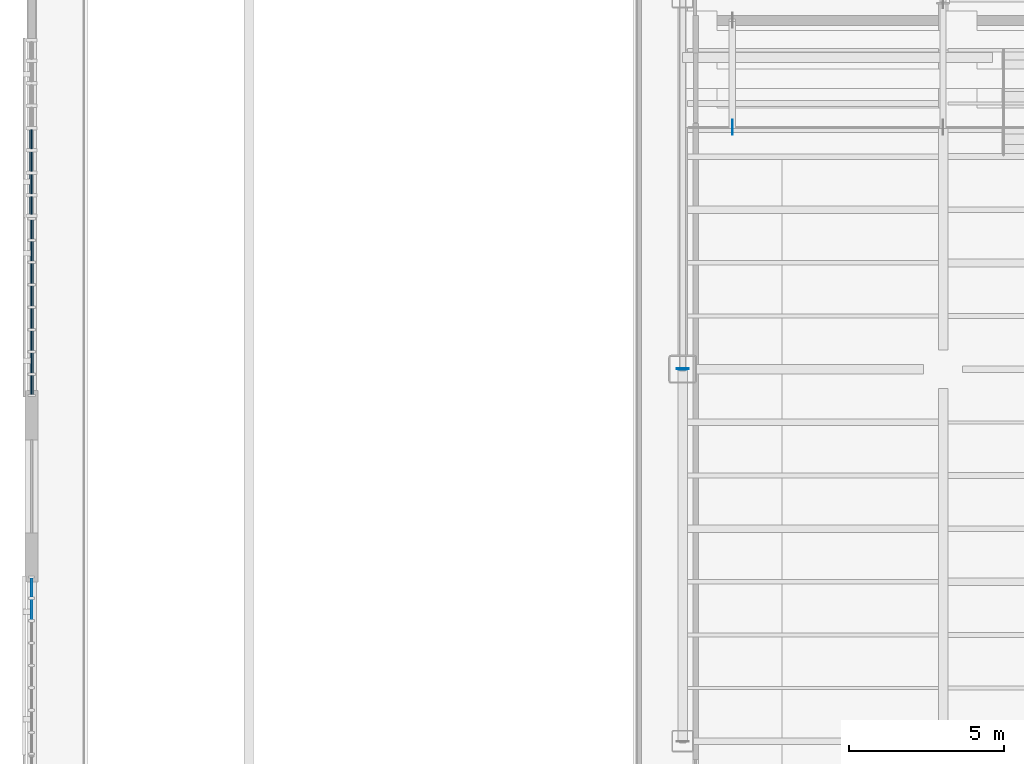
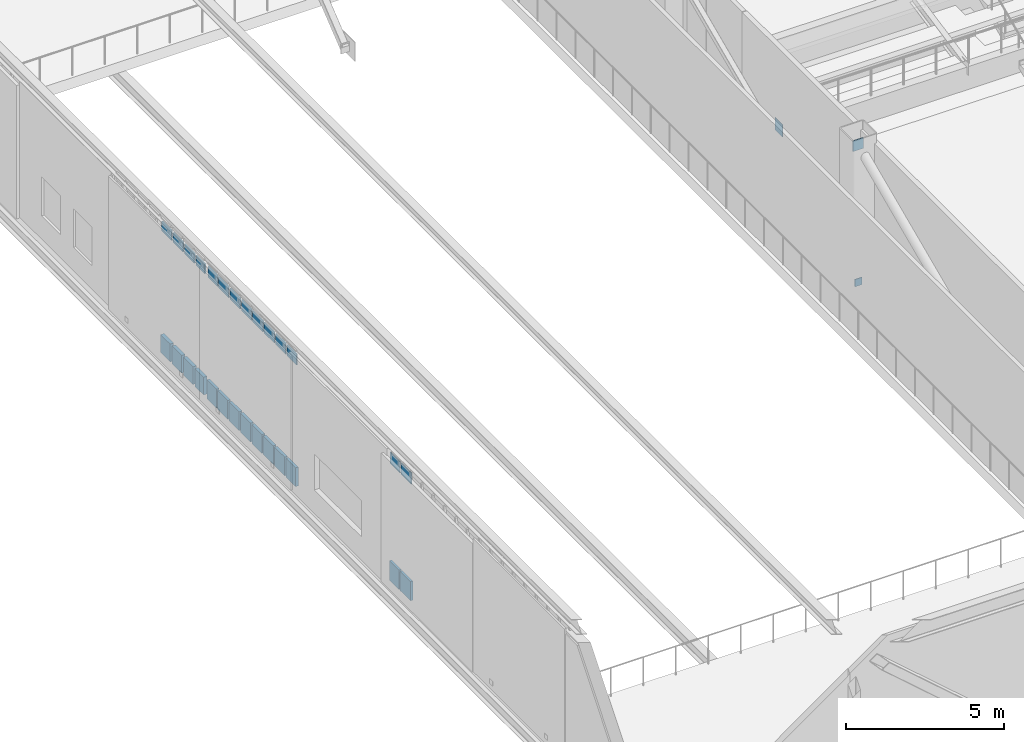
# One storey, part 86 of 135: 31 plates, 3 elements without a shape of their own.
"""IFC4 building model written with IfcOpenShell, lengths in metres."""

from ifc_helpers import new_model, si_unit, direction, frame, origin, origin_2d, place, context, subcontext, project, spatial, rectangle, extrude, material, layer, layer_set, type_object, element, aggregate, save


model = new_model("IFC4")

# Units and contexts
model_context = context("Model", 3, precision=1e-05, world=origin(), true_north=direction((0.0, 1.0)))
body_context = subcontext(model_context, "Body", "Model", "MODEL_VIEW")
ifc_project = project(units=[si_unit("LENGTHUNIT", "METRE"), si_unit("AREAUNIT", "SQUARE_METRE"), si_unit("VOLUMEUNIT", "CUBIC_METRE"), si_unit("PLANEANGLEUNIT", "RADIAN"), si_unit("MASSUNIT", "GRAM", prefix="KILO")], contexts=[model_context])

# Site, building, storey
site_placement = place(None, origin())
site = spatial("IfcSite", under=ifc_project, at=site_placement, CompositionType="ELEMENT")
building_placement = place(site_placement, origin())
building = spatial("IfcBuilding", under=site, at=building_placement, Name="Larkvane Passage Sports Hall", CompositionType="ELEMENT")
storey_placement = place(building_placement, frame((0.0, 0.0, 10.800048828125)))
storey = spatial("IfcBuildingStorey", under=building, at=storey_placement, Name="L02", CompositionType="ELEMENT", Elevation=10.800048828125)

# Curtain wall, plates
ifc_material_1 = material(Name="Thermally broken aluminium and low-E glazing", Category="aluminium")
curtain_wall_type_1 = type_object("IfcCurtainWallType", Name="CW-STICK-FOYER", PredefinedType="USERDEFINED", material=ifc_material_1)
curtain_wall_1_placement = place(storey_placement, origin())
curtain_wall_1 = element("IfcCurtainWall", 1, at=curtain_wall_1_placement, inside=storey, type_object=curtain_wall_type_1, Name="Curtain wall CW5-L02-094", ObjectType="STICK CURTAIN WALL", PredefinedType="USERDEFINED")
ifc_material_2 = material(Name="Fire-stopped shadow-box spandrel panel")
ifc_layer_1 = layer(ifc_material_2, 0.10498046875)
ifc_layer_set_1 = layer_set([ifc_layer_1], Name="Fire-stopped shadow-box spandrel panel")
plate_type_1 = type_object("IfcPlateType", Name="CWP-SPD-105", PredefinedType="CURTAIN_PANEL", material=ifc_layer_set_1)
plate_1_placement = place(storey_placement, frame((13.800048828125, 63.09228515625, 0.080078125), z_axis=(0.0, 0.0, 1.0), x_axis=(0.0, 1.0, 0.0)))
plate_1 = element("IfcPlate", 2, at=plate_1_placement, type_object=plate_type_1, Name="CW-03 panel 1.1", PredefinedType="CURTAIN_PANEL", context=body_context, shape_type="SweptSolid", body=[
    extrude(rectangle(XDim=0.602294921875, YDim=0.10498046875, at=origin_2d()), origin(), (0.0, 0.0, 1.0), 0.72998046875),
])
plate_2_placement = place(storey_placement, frame((13.800048828125, 63.79443359375, 0.080078125), z_axis=(0.0, 0.0, 1.0), x_axis=(0.0, 1.0, 0.0)))
plate_2 = element("IfcPlate", 3, at=plate_2_placement, type_object=plate_type_1, Name="CW-03 panel 2.1", PredefinedType="CURTAIN_PANEL", context=body_context, shape_type="SweptSolid", body=[
    extrude(rectangle(XDim=0.642333984375, YDim=0.10498046875, at=origin_2d()), origin(), (0.0, 0.0, 1.0), 0.72998046875),
])
plate_3_placement = place(storey_placement, frame((13.800048828125, 64.5166015625, 0.080078125), z_axis=(0.0, 0.0, 1.0), x_axis=(0.0, 1.0, 0.0)))
plate_3 = element("IfcPlate", 4, at=plate_3_placement, type_object=plate_type_1, Name="CW-03 panel 3.1", PredefinedType="CURTAIN_PANEL", context=body_context, shape_type="SweptSolid", body=[
    extrude(rectangle(XDim=0.642333984375, YDim=0.10498046875, at=origin_2d()), origin(), (0.0, 0.0, 1.0), 0.72998046875),
])
plate_4_placement = place(storey_placement, frame((13.800048828125, 65.23876953125, 0.080078125), z_axis=(0.0, 0.0, 1.0), x_axis=(0.0, 1.0, 0.0)))
plate_4 = element("IfcPlate", 5, at=plate_4_placement, type_object=plate_type_1, Name="CW-03 panel 4.1", PredefinedType="CURTAIN_PANEL", context=body_context, shape_type="SweptSolid", body=[
    extrude(rectangle(XDim=0.642333984375, YDim=0.10498046875, at=origin_2d()), origin(), (0.0, 0.0, 1.0), 0.72998046875),
])
plate_5_placement = place(storey_placement, frame((13.800048828125, 65.961181640625, 0.080078125), z_axis=(0.0, 0.0, 1.0), x_axis=(0.0, 1.0, 0.0)))
plate_5 = element("IfcPlate", 6, at=plate_5_placement, type_object=plate_type_1, Name="CW-03 panel 5.1", PredefinedType="CURTAIN_PANEL", context=body_context, shape_type="SweptSolid", body=[
    extrude(rectangle(XDim=0.642333984375, YDim=0.10498046875, at=origin_2d()), origin(), (0.0, 0.0, 1.0), 0.72998046875),
])
plate_6_placement = place(storey_placement, frame((13.800048828125, 66.683349609375, 0.080078125), z_axis=(0.0, 0.0, 1.0), x_axis=(0.0, 1.0, 0.0)))
plate_6 = element("IfcPlate", 7, at=plate_6_placement, type_object=plate_type_1, Name="CW-03 panel 6.1", PredefinedType="CURTAIN_PANEL", context=body_context, shape_type="SweptSolid", body=[
    extrude(rectangle(XDim=0.642333984375, YDim=0.10498046875, at=origin_2d()), origin(), (0.0, 0.0, 1.0), 0.72998046875),
])
plate_7_placement = place(storey_placement, frame((13.800048828125, 67.405517578125, 0.080078125), z_axis=(0.0, 0.0, 1.0), x_axis=(0.0, 1.0, 0.0)))
plate_7 = element("IfcPlate", 8, at=plate_7_placement, type_object=plate_type_1, Name="CW-03 panel 7.1", PredefinedType="CURTAIN_PANEL", context=body_context, shape_type="SweptSolid", body=[
    extrude(rectangle(XDim=0.642333984375, YDim=0.10498046875, at=origin_2d()), origin(), (0.0, 0.0, 1.0), 0.72998046875),
])
plate_8_placement = place(storey_placement, frame((13.800048828125, 68.107666015625, 0.080078125), z_axis=(0.0, 0.0, 1.0), x_axis=(0.0, 1.0, 0.0)))
plate_8 = element("IfcPlate", 9, at=plate_8_placement, type_object=plate_type_1, Name="CW-03 panel 8.1", PredefinedType="CURTAIN_PANEL", context=body_context, shape_type="SweptSolid", body=[
    extrude(rectangle(XDim=0.602294921875, YDim=0.10498046875, at=origin_2d()), origin(), (0.0, 0.0, 1.0), 0.72998046875),
])

curtain_wall_type_2 = type_object("IfcCurtainWallType", Name="CW-CLINIC", PredefinedType="USERDEFINED", material=ifc_material_1)
curtain_wall_2_placement = place(storey_placement, origin())
curtain_wall_2 = element("IfcCurtainWall", 10, at=curtain_wall_2_placement, inside=storey, type_object=curtain_wall_type_2, Name="Curtain wall CW5-L02-095", ObjectType="UNITISED CURTAIN WALL", PredefinedType="USERDEFINED")
ifc_material_3 = material(Name="Deep insulated facade spandrel panel")
ifc_layer_2 = layer(ifc_material_3, 0.125)
ifc_layer_set_2 = layer_set([ifc_layer_2], Name="Deep insulated facade spandrel panel")
plate_type_2 = type_object("IfcPlateType", Name="CWP-SPD-125", PredefinedType="CURTAIN_PANEL", material=ifc_layer_set_2)
plate_9_placement = place(storey_placement, frame((13.800048828125, 68.87744140625, 0.10986328125), z_axis=(0.0, 0.0, 1.0), x_axis=(0.0, 1.0, 0.0)))
plate_9 = element("IfcPlate", 11, at=plate_9_placement, type_object=plate_type_2, Name="CW-05 panel 1.1", PredefinedType="CURTAIN_PANEL", context=body_context, shape_type="SweptSolid", body=[
    extrude(rectangle(XDim=0.55712890625, YDim=0.125, at=origin_2d()), origin(), (0.0, 0.0, 1.0), 0.68505859375),
])
plate_10_placement = place(storey_placement, frame((13.800048828125, 69.572265625, 0.10986328125), z_axis=(0.0, 0.0, 1.0), x_axis=(0.0, 1.0, 0.0)))
plate_10 = element("IfcPlate", 12, at=plate_10_placement, type_object=plate_type_2, Name="CW-05 panel 2.1", PredefinedType="CURTAIN_PANEL", context=body_context, shape_type="SweptSolid", body=[
    extrude(rectangle(XDim=0.6123046875, YDim=0.125, at=origin_2d()), origin(), (0.0, 0.0, 1.0), 0.68505859375),
])
plate_11_placement = place(storey_placement, frame((13.800048828125, 70.29443359375, 0.10986328125), z_axis=(0.0, 0.0, 1.0), x_axis=(0.0, 1.0, 0.0)))
plate_11 = element("IfcPlate", 13, at=plate_11_placement, type_object=plate_type_2, Name="CW-05 panel 3.1", PredefinedType="CURTAIN_PANEL", context=body_context, shape_type="SweptSolid", body=[
    extrude(rectangle(XDim=0.6123046875, YDim=0.125, at=origin_2d()), origin(), (0.0, 0.0, 1.0), 0.68505859375),
])
plate_12_placement = place(storey_placement, frame((13.800048828125, 71.0166015625, 0.10986328125), z_axis=(0.0, 0.0, 1.0), x_axis=(0.0, 1.0, 0.0)))
plate_12 = element("IfcPlate", 14, at=plate_12_placement, type_object=plate_type_2, Name="CW-05 panel 4.1", PredefinedType="CURTAIN_PANEL", context=body_context, shape_type="SweptSolid", body=[
    extrude(rectangle(XDim=0.6123046875, YDim=0.125, at=origin_2d()), origin(), (0.0, 0.0, 1.0), 0.68505859375),
])

curtain_wall_type_3 = type_object("IfcCurtainWallType", Name="CW-UNIT-VEIL", PredefinedType="USERDEFINED", material=ifc_material_1)
curtain_wall_3_placement = place(storey_placement, origin())
curtain_wall_3 = element("IfcCurtainWall", 15, at=curtain_wall_3_placement, inside=storey, type_object=curtain_wall_type_3, Name="Curtain wall CW5-L02-093", ObjectType="UNITISED CURTAIN WALL", PredefinedType="USERDEFINED")
ifc_material_4 = material(Name="Mineral-wool insulated spandrel cassette")
ifc_layer_3 = layer(ifc_material_4, 0.0849609375)
ifc_layer_set_3 = layer_set([ifc_layer_3], Name="Mineral-wool insulated spandrel cassette")
plate_type_3 = type_object("IfcPlateType", Name="CWP-SPD-85", PredefinedType="CURTAIN_PANEL", material=ifc_layer_set_3)
plate_13_placement = place(storey_placement, frame((13.800048828125, 55.85009765625, 0.06982421875), z_axis=(0.0, 0.0, 1.0), x_axis=(0.0, 1.0, 0.0)))
plate_13 = element("IfcPlate", 16, at=plate_13_placement, type_object=plate_type_3, Name="CW-02 panel 7.1", PredefinedType="CURTAIN_PANEL", context=body_context, shape_type="SweptSolid", body=[
    extrude(rectangle(XDim=0.652099609375, YDim=0.0849609375, at=origin_2d()), origin(), (0.0, 0.0, 1.0), 0.7451171875),
])
plate_14_placement = place(storey_placement, frame((13.800048828125, 56.5546875, 0.06982421875), z_axis=(0.0, 0.0, 1.0), x_axis=(0.0, 1.0, 0.0)))
plate_14 = element("IfcPlate", 17, at=plate_14_placement, type_object=plate_type_3, Name="CW-02 panel 8.1", PredefinedType="CURTAIN_PANEL", context=body_context, shape_type="SweptSolid", body=[
    extrude(rectangle(XDim=0.6171875, YDim=0.0849609375, at=origin_2d()), origin(), (0.0, 0.0, 1.0), 0.7451171875),
])
ifc_material_5 = material(Name="Laminated acoustic low-E glazing", Category="glass")
ifc_layer_4 = layer(ifc_material_5, 0.031982421875)
ifc_layer_set_4 = layer_set([ifc_layer_4], Name="Laminated acoustic low-E glazing")
plate_type_4 = type_object("IfcPlateType", Name="CWP-VIS-32", PredefinedType="CURTAIN_PANEL", material=ifc_layer_set_4)
plate_15_placement = place(storey_placement, frame((13.800048828125, 55.85009765625, 4.56494140625), z_axis=(0.0, 0.0, 1.0), x_axis=(0.0, 1.0, 0.0)))
plate_15 = element("IfcPlate", 18, at=plate_15_placement, type_object=plate_type_4, Name="CW-02 panel 7.3", PredefinedType="CURTAIN_PANEL", context=body_context, shape_type="SweptSolid", body=[
    extrude(rectangle(XDim=0.652099609375, YDim=0.031982421875, at=origin_2d()), origin(), (0.0, 0.0, 1.0), 0.445068359375),
])
plate_16_placement = place(storey_placement, frame((13.800048828125, 56.5546875, 4.56494140625), z_axis=(0.0, 0.0, 1.0), x_axis=(0.0, 1.0, 0.0)))
plate_16 = element("IfcPlate", 19, at=plate_16_placement, type_object=plate_type_4, Name="CW-02 panel 8.3", PredefinedType="CURTAIN_PANEL", context=body_context, shape_type="SweptSolid", body=[
    extrude(rectangle(XDim=0.6171875, YDim=0.031982421875, at=origin_2d()), origin(), (0.0, 0.0, 1.0), 0.445068359375),
])
aggregate(curtain_wall_3, [plate_13, plate_15, plate_14, plate_16])

# Plate
ifc_material_6 = material(Name="High-impact court low-E glazing", Category="glass")
ifc_layer_5 = layer(ifc_material_6, 0.035888671875)
ifc_layer_set_5 = layer_set([ifc_layer_5], Name="High-impact court low-E glazing")
plate_type_5 = type_object("IfcPlateType", Name="CWP-VIS-36", PredefinedType="CURTAIN_PANEL", material=ifc_layer_set_5)
plate_17_placement = place(storey_placement, frame((13.800048828125, 63.09228515625, 4.76806640625), z_axis=(0.0, 0.0, 1.0), x_axis=(0.0, 1.0, 0.0)))
plate_17 = element("IfcPlate", 20, at=plate_17_placement, type_object=plate_type_5, Name="CW-03 panel 1.3", PredefinedType="CURTAIN_PANEL", context=body_context, shape_type="SweptSolid", body=[
    extrude(rectangle(XDim=0.602294921875, YDim=0.035888671875, at=origin_2d()), origin(), (0.0, 0.0, 1.0), 0.429931640625),
])

plate_18_placement = place(storey_placement, frame((13.800048828125, 63.79443359375, 4.76806640625), z_axis=(0.0, 0.0, 1.0), x_axis=(0.0, 1.0, 0.0)))
plate_18 = element("IfcPlate", 21, at=plate_18_placement, type_object=plate_type_5, Name="CW-03 panel 2.3", PredefinedType="CURTAIN_PANEL", context=body_context, shape_type="SweptSolid", body=[
    extrude(rectangle(XDim=0.642333984375, YDim=0.035888671875, at=origin_2d()), origin(), (0.0, 0.0, 1.0), 0.429931640625),
])

plate_19_placement = place(storey_placement, frame((13.800048828125, 64.5166015625, 4.76806640625), z_axis=(0.0, 0.0, 1.0), x_axis=(0.0, 1.0, 0.0)))
plate_19 = element("IfcPlate", 22, at=plate_19_placement, type_object=plate_type_5, Name="CW-03 panel 3.3", PredefinedType="CURTAIN_PANEL", context=body_context, shape_type="SweptSolid", body=[
    extrude(rectangle(XDim=0.642333984375, YDim=0.035888671875, at=origin_2d()), origin(), (0.0, 0.0, 1.0), 0.429931640625),
])

plate_20_placement = place(storey_placement, frame((13.800048828125, 65.23876953125, 4.76806640625), z_axis=(0.0, 0.0, 1.0), x_axis=(0.0, 1.0, 0.0)))
plate_20 = element("IfcPlate", 23, at=plate_20_placement, type_object=plate_type_5, Name="CW-03 panel 4.3", PredefinedType="CURTAIN_PANEL", context=body_context, shape_type="SweptSolid", body=[
    extrude(rectangle(XDim=0.642333984375, YDim=0.035888671875, at=origin_2d()), origin(), (0.0, 0.0, 1.0), 0.429931640625),
])

plate_21_placement = place(storey_placement, frame((13.800048828125, 65.961181640625, 4.76806640625), z_axis=(0.0, 0.0, 1.0), x_axis=(0.0, 1.0, 0.0)))
plate_21 = element("IfcPlate", 24, at=plate_21_placement, type_object=plate_type_5, Name="CW-03 panel 5.3", PredefinedType="CURTAIN_PANEL", context=body_context, shape_type="SweptSolid", body=[
    extrude(rectangle(XDim=0.642333984375, YDim=0.035888671875, at=origin_2d()), origin(), (0.0, 0.0, 1.0), 0.429931640625),
])

plate_22_placement = place(storey_placement, frame((13.800048828125, 66.683349609375, 4.76806640625), z_axis=(0.0, 0.0, 1.0), x_axis=(0.0, 1.0, 0.0)))
plate_22 = element("IfcPlate", 25, at=plate_22_placement, type_object=plate_type_5, Name="CW-03 panel 6.3", PredefinedType="CURTAIN_PANEL", context=body_context, shape_type="SweptSolid", body=[
    extrude(rectangle(XDim=0.642333984375, YDim=0.035888671875, at=origin_2d()), origin(), (0.0, 0.0, 1.0), 0.429931640625),
])

plate_23_placement = place(storey_placement, frame((13.800048828125, 67.405517578125, 4.76806640625), z_axis=(0.0, 0.0, 1.0), x_axis=(0.0, 1.0, 0.0)))
plate_23 = element("IfcPlate", 26, at=plate_23_placement, type_object=plate_type_5, Name="CW-03 panel 7.3", PredefinedType="CURTAIN_PANEL", context=body_context, shape_type="SweptSolid", body=[
    extrude(rectangle(XDim=0.642333984375, YDim=0.035888671875, at=origin_2d()), origin(), (0.0, 0.0, 1.0), 0.429931640625),
])

plate_24_placement = place(storey_placement, frame((13.800048828125, 68.107666015625, 4.76806640625), z_axis=(0.0, 0.0, 1.0), x_axis=(0.0, 1.0, 0.0)))
plate_24 = element("IfcPlate", 27, at=plate_24_placement, type_object=plate_type_5, Name="CW-03 panel 8.3", PredefinedType="CURTAIN_PANEL", context=body_context, shape_type="SweptSolid", body=[
    extrude(rectangle(XDim=0.602294921875, YDim=0.035888671875, at=origin_2d()), origin(), (0.0, 0.0, 1.0), 0.429931640625),
])

aggregate(curtain_wall_1, [plate_1, plate_17, plate_2, plate_18, plate_3, plate_19, plate_4, plate_20, plate_5, plate_21, plate_6, plate_22, plate_7, plate_23, plate_8, plate_24])

ifc_material_7 = material(Name="Triple-laminated typhoon glazing", Category="glass")
ifc_layer_6 = layer(ifc_material_7, 0.0419921875)
ifc_layer_set_6 = layer_set([ifc_layer_6], Name="Triple-laminated typhoon glazing")
plate_type_6 = type_object("IfcPlateType", Name="CWP-VIS-42", PredefinedType="CURTAIN_PANEL", material=ifc_layer_set_6)
plate_25_placement = place(storey_placement, frame((13.800048828125, 68.87744140625, 4.78271484375), z_axis=(0.0, 0.0, 1.0), x_axis=(0.0, 1.0, 0.0)))
plate_25 = element("IfcPlate", 28, at=plate_25_placement, type_object=plate_type_6, Name="CW-05 panel 1.3", PredefinedType="CURTAIN_PANEL", context=body_context, shape_type="SweptSolid", body=[
    extrude(rectangle(XDim=0.55712890625, YDim=0.0419921875, at=origin_2d()), origin(), (0.0, 0.0, 1.0), 0.385009765625),
])

plate_26_placement = place(storey_placement, frame((13.800048828125, 69.572265625, 4.78271484375), z_axis=(0.0, 0.0, 1.0), x_axis=(0.0, 1.0, 0.0)))
plate_26 = element("IfcPlate", 29, at=plate_26_placement, type_object=plate_type_6, Name="CW-05 panel 2.3", PredefinedType="CURTAIN_PANEL", context=body_context, shape_type="SweptSolid", body=[
    extrude(rectangle(XDim=0.6123046875, YDim=0.0419921875, at=origin_2d()), origin(), (0.0, 0.0, 1.0), 0.385009765625),
])

plate_27_placement = place(storey_placement, frame((13.800048828125, 70.29443359375, 4.78271484375), z_axis=(0.0, 0.0, 1.0), x_axis=(0.0, 1.0, 0.0)))
plate_27 = element("IfcPlate", 30, at=plate_27_placement, type_object=plate_type_6, Name="CW-05 panel 3.3", PredefinedType="CURTAIN_PANEL", context=body_context, shape_type="SweptSolid", body=[
    extrude(rectangle(XDim=0.6123046875, YDim=0.0419921875, at=origin_2d()), origin(), (0.0, 0.0, 1.0), 0.385009765625),
])

plate_28_placement = place(storey_placement, frame((13.800048828125, 71.0166015625, 4.78271484375), z_axis=(0.0, 0.0, 1.0), x_axis=(0.0, 1.0, 0.0)))
plate_28 = element("IfcPlate", 31, at=plate_28_placement, type_object=plate_type_6, Name="CW-05 panel 4.3", PredefinedType="CURTAIN_PANEL", context=body_context, shape_type="SweptSolid", body=[
    extrude(rectangle(XDim=0.6123046875, YDim=0.0419921875, at=origin_2d()), origin(), (0.0, 0.0, 1.0), 0.385009765625),
])

aggregate(curtain_wall_2, [plate_9, plate_25, plate_10, plate_26, plate_11, plate_27, plate_12, plate_28])

# Plates
ifc_material_8 = material(Name="Steel S355JR", Category="steel")
ifc_layer_7 = layer(ifc_material_8, 0.011962890625)
ifc_layer_set_7 = layer_set([ifc_layer_7], Name="Steel S355JR")
plate_type_7 = type_object("IfcPlateType", Name="PLT-CAP-12", PredefinedType="SHEET", material=ifc_layer_set_7)
plate_29_placement = place(storey_placement, frame((34.800048828125, 63.594482421875, 0.0078125), z_axis=(0.0, 0.0, 1.0), x_axis=(-1.0, 0.0, 0.0)))
element("IfcPlate", 32, at=plate_29_placement, inside=storey, type_object=plate_type_7, Name="Hollow section sealed end cap plate 0568", PredefinedType="SHEET", context=body_context, shape_type="SweptSolid", body=[
    extrude(rectangle(XDim=0.260009765625, YDim=0.028076171875, at=origin_2d()), origin(), (0.0, 0.0, 1.0), 0.279052734375),
])
ifc_material_9 = material(Name="Steel S460N", Category="steel")
ifc_layer_8 = layer(ifc_material_9, 0.02001953125)
ifc_layer_set_8 = layer_set([ifc_layer_8], Name="Steel S460N")
plate_type_8 = type_object("IfcPlateType", Name="PLT-CAP-20", PredefinedType="SHEET", material=ifc_layer_set_8)
plate_30_placement = place(storey_placement, frame((34.800048828125, 63.609130859375, 5.25), z_axis=(0.0, 0.0, 1.0), x_axis=(-1.0, 0.0, 0.0)))
element("IfcPlate", 33, at=plate_30_placement, inside=storey, type_object=plate_type_8, Name="Hollow section sealed end cap plate 0561", PredefinedType="SHEET", context=body_context, shape_type="SweptSolid", body=[
    extrude(rectangle(XDim=0.37890625, YDim=0.028076171875, at=origin_2d()), origin(), (0.0, 0.0, 1.0), 0.407958984375),
])
ifc_layer_9 = layer(ifc_material_9, 0.01611328125)
ifc_layer_set_9 = layer_set([ifc_layer_9], Name="Steel S460N")
plate_type_9 = type_object("IfcPlateType", Name="PLT-GUS-16", PredefinedType="USERDEFINED", material=ifc_layer_set_9)
plate_31_placement = place(storey_placement, frame((36.39990234375, 71.39990234375, 0.60986328125), z_axis=(0.0, 0.0, 1.0), x_axis=(0.0, 1.0, 0.0)))
element("IfcPlate", 34, at=plate_31_placement, inside=storey, type_object=plate_type_9, Name="Brace connection gusset plate 0045", ObjectType="GUSSET PLATE", PredefinedType="USERDEFINED", context=body_context, shape_type="SweptSolid", body=[
    extrude(rectangle(XDim=0.47998046875, YDim=0.01611328125, at=origin_2d()), origin(), (0.0, 0.0, 1.0), 0.47998046875),
])

save(model, "model.ifc")
